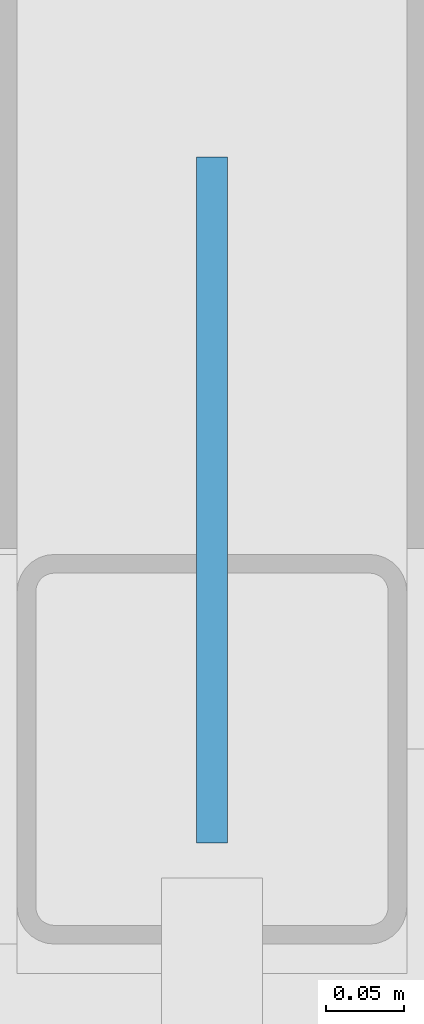
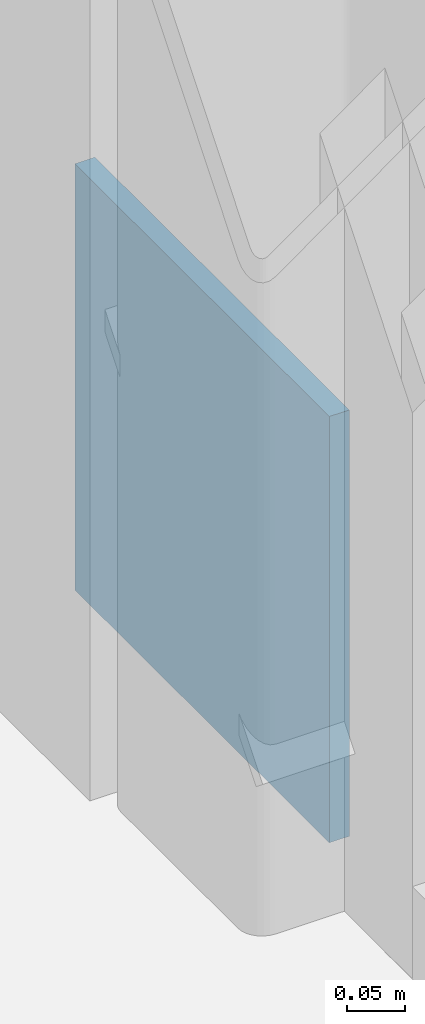
# One storey, part 67 of 83: 1 discrete accessory.
"""IFC4 building model written with IfcOpenShell, lengths in metres."""

from ifc_helpers import new_model, si_unit, direction, frame, origin, origin_2d, place, context, subcontext, project, spatial, rectangle, extrude, material, layer, layer_set, type_object, element, save


model = new_model("IFC4")

# Units and contexts
model_context = context("Model", 3, precision=1e-05, world=origin(), true_north=direction((0.0, 1.0)))
body_context = subcontext(model_context, "Body", "Model", "MODEL_VIEW")
ifc_project = project(units=[si_unit("LENGTHUNIT", "METRE"), si_unit("AREAUNIT", "SQUARE_METRE"), si_unit("VOLUMEUNIT", "CUBIC_METRE"), si_unit("PLANEANGLEUNIT", "RADIAN"), si_unit("MASSUNIT", "GRAM", prefix="KILO")], contexts=[model_context])

# Site, building, storey
site_placement = place(None, origin())
site = spatial("IfcSite", under=ifc_project, at=site_placement, CompositionType="ELEMENT")
building_placement = place(site_placement, origin())
building = spatial("IfcBuilding", under=site, at=building_placement, Name="Varnakota Square Police Headquarters", CompositionType="ELEMENT")
storey_placement = place(building_placement, frame((0.0, 0.0, 18.0)))
storey = spatial("IfcBuildingStorey", under=building, at=storey_placement, Name="L04", CompositionType="ELEMENT", Elevation=18.0)

# Discrete accessory
ifc_material = material(Name="Steel IS 2062 Grade 350", Category="steel")
ifc_layer = layer(ifc_material, 0.64990234375, Name="Steel IS 2062 Grade 350")
ifc_layer_set = layer_set([ifc_layer], Name="Steel IS 2062 Grade 350")
discrete_accessory_type = type_object("IfcDiscreteAccessoryType", Name="ACC-EMB-350", PredefinedType="BRACKET", material=ifc_layer_set)
discrete_accessory_placement = place(storey_placement, frame((42.0, 27.159912109375, 0.02490234375), z_axis=(0.0, 0.0, 1.0), x_axis=(0.0, 1.0, 0.0)))
element("IfcDiscreteAccessory", 1, at=discrete_accessory_placement, inside=storey, type_object=discrete_accessory_type, Name="Brace gusset connection plate BF3 L04 L", PredefinedType="BRACKET", context=body_context, shape_type="SweptSolid", body=[
    extrude(rectangle(XDim=0.43994140625, YDim=0.02001953125, at=origin_2d()), origin(), (0.0, 0.0, 1.0), 0.449951171875),
])

save(model, "model.ifc")
